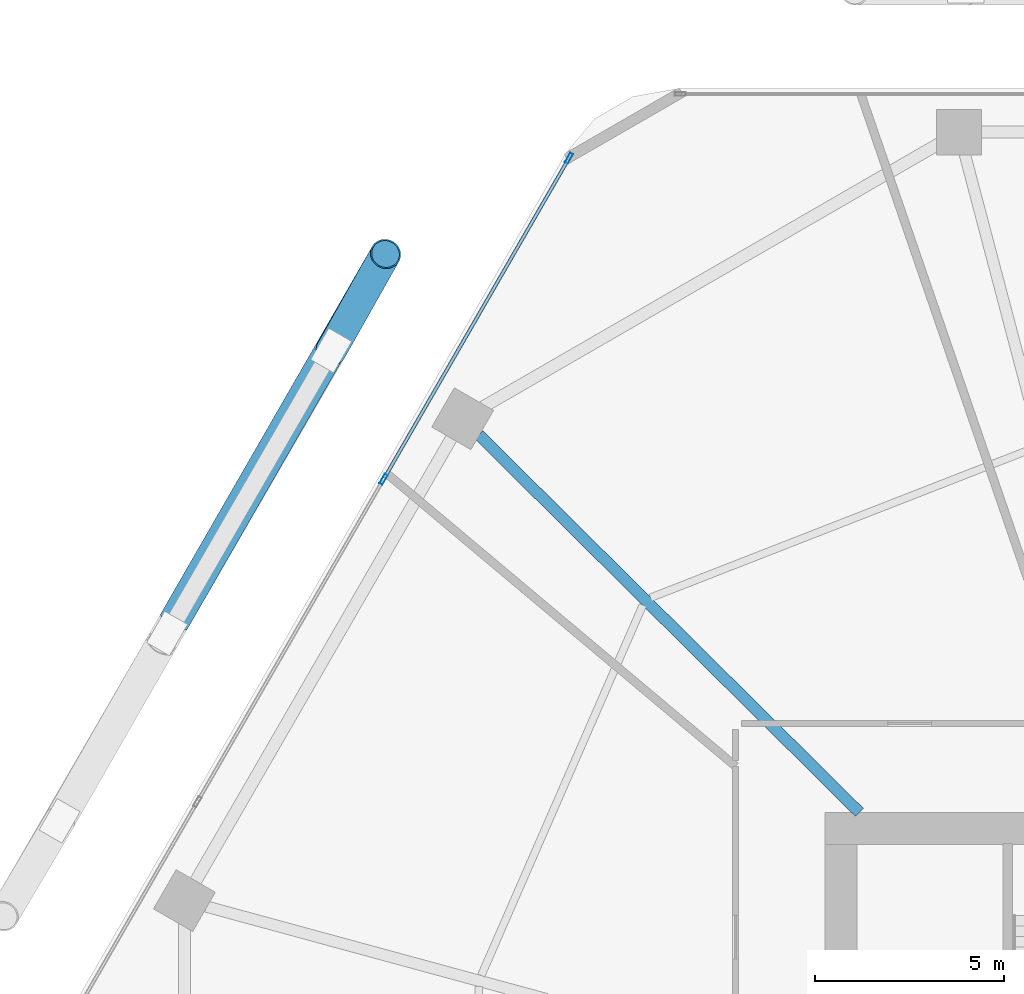
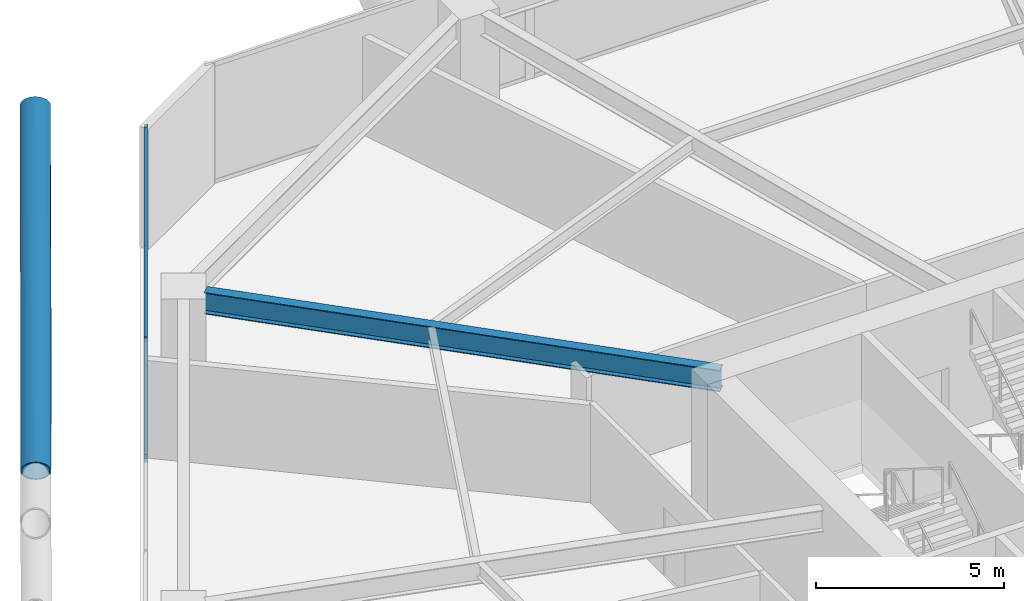
# One storey, part 15 of 28: 6 members, 1 beam, 1 element without a shape of its own.
"""IFC4 building model written with IfcOpenShell, lengths in metres."""

from ifc_helpers import new_model, si_unit, direction, frame, origin, origin_2d, place, context, subcontext, project, spatial, hollow_rectangle, hollow_circle, i_section, extrude, material, material_profile, profile_set, type_object, element, aggregate, save


model = new_model("IFC4")

# Units and contexts
model_context = context("Model", 3, precision=1e-05, world=origin(), true_north=direction((0.0, 1.0)))
body_context = subcontext(model_context, "Body", "Model", "MODEL_VIEW")
ifc_project = project(units=[si_unit("LENGTHUNIT", "METRE"), si_unit("AREAUNIT", "SQUARE_METRE"), si_unit("VOLUMEUNIT", "CUBIC_METRE"), si_unit("PLANEANGLEUNIT", "RADIAN"), si_unit("MASSUNIT", "GRAM", prefix="KILO")], contexts=[model_context])

# Site, building, storey
site_placement = place(None, origin())
site = spatial("IfcSite", under=ifc_project, at=site_placement, CompositionType="ELEMENT")
building_placement = place(site_placement, origin())
building = spatial("IfcBuilding", under=site, at=building_placement, Name="Zuhravey Tower", CompositionType="ELEMENT")
storey_placement = place(building_placement, frame((0.0, 0.0, 49.800048828125)))
storey = spatial("IfcBuildingStorey", under=building, at=storey_placement, Name="L12", CompositionType="ELEMENT", Elevation=49.800048828125)

# Curtain wall, members
ifc_material_1 = material(Name="Thermally broken anodised aluminium", Category="aluminium")
curtain_wall_type = type_object("IfcCurtainWallType", Name="School Low-E Unitised Curtain Wall CW1", PredefinedType="NOTDEFINED", material=ifc_material_1)
curtain_wall_placement = place(storey_placement, origin())
curtain_wall = element("IfcCurtainWall", 1, at=curtain_wall_placement, inside=storey, type_object=curtain_wall_type, Name="L12 CW1 CW-L12-F3-1", PredefinedType="NOTDEFINED")
ifc_material_2 = material(Name="Anodised aluminium", Category="aluminium")
ifc_material_profile_1 = material_profile(ifc_material_2, hollow_rectangle(XDim=0.090087890625, YDim=0.284912109375, WallThickness=0.0048828125, at=origin_2d()), Name="ALU-RHS-90x285x5")
ifc_profile_set_1 = profile_set([ifc_material_profile_1], Name="Anodised aluminium")
member_type_1 = type_object("IfcMemberType", Name="Curtain-Wall Mullion 90x180", PredefinedType="MULLION", material=ifc_profile_set_1)
member_1_placement = place(storey_placement, frame((13.387939453125, 50.75146484375, 0.0), z_axis=(0.0, 0.0, 1.0), x_axis=(-0.86602552265, 0.499999794119, 0.0)))
member_1 = element("IfcMember", 2, at=member_1_placement, type_object=member_type_1, Name="CW1 mullion 3", PredefinedType="MULLION", context=body_context, shape_type="SweptSolid", body=[
    extrude(hollow_rectangle(XDim=0.090087890625, YDim=0.284912109375, WallThickness=0.0048828125, at=origin_2d()), origin(), (0.0, 0.0, 1.0), 3.919921875),
])
member_2_placement = place(storey_placement, frame((18.298583984375, 59.257080078125, 0.0), z_axis=(0.0, 0.0, 1.0), x_axis=(-0.86602552265, 0.499999794119, 0.0)))
member_2 = element("IfcMember", 3, at=member_2_placement, type_object=member_type_1, Name="CW1 mullion 4", PredefinedType="MULLION", context=body_context, shape_type="SweptSolid", body=[
    extrude(hollow_rectangle(XDim=0.090087890625, YDim=0.284912109375, WallThickness=0.0048828125, at=origin_2d()), origin(), (0.0, 0.0, 1.0), 3.919921875),
])
ifc_material_profile_2 = material_profile(ifc_material_2, hollow_rectangle(XDim=0.090087890625, YDim=0.14990234375, WallThickness=0.0048828125, at=origin_2d()), Name="ALU-RHS-90x150x5")
ifc_profile_set_2 = profile_set([ifc_material_profile_2], Name="Anodised aluminium")
member_type_2 = type_object("IfcMemberType", Name="Curtain-Wall Transom 90x150", PredefinedType="USERDEFINED", material=ifc_profile_set_2)
member_3_placement = place(storey_placement, frame((13.410400390625, 50.79052734375, 0.044921875), z_axis=(0.499989576763, 0.86603142156, 0.0), x_axis=(-0.86603142156, 0.499989576763, 0.0)))
member_3 = element("IfcMember", 4, at=member_3_placement, type_object=member_type_2, Name="CW1 transom 3.1", ObjectType="TRANSOM", PredefinedType="USERDEFINED", context=body_context, shape_type="SweptSolid", body=[
    extrude(hollow_rectangle(XDim=0.090087890625, YDim=0.14990234375, WallThickness=0.0048828125, at=origin_2d()), origin(), (0.0, 0.0, 1.0), 9.731201171875),
])
member_4_placement = place(storey_placement, frame((13.410400390625, 50.79052734375, 3.875), z_axis=(0.499989576763, 0.86603142156, 0.0), x_axis=(-0.86603142156, 0.499989576763, 0.0)))
member_4 = element("IfcMember", 5, at=member_4_placement, type_object=member_type_2, Name="CW1 transom 3.2", ObjectType="TRANSOM", PredefinedType="USERDEFINED", context=body_context, shape_type="SweptSolid", body=[
    extrude(hollow_rectangle(XDim=0.090087890625, YDim=0.14990234375, WallThickness=0.0048828125, at=origin_2d()), origin(), (0.0, 0.0, 1.0), 9.731201171875),
])
aggregate(curtain_wall, [member_1, member_2, member_3, member_4])

# Members
ifc_material_3 = material(Name="Steel SM460", Category="steel")
ifc_material_profile_3 = material_profile(ifc_material_3, hollow_circle(Radius=0.406494140625, WallThickness=0.035888671875, at=origin_2d()), Name="CHS-812.8x36")
ifc_profile_set_3 = profile_set([ifc_material_profile_3], Name="Steel SM460")
member_type_3 = type_object("IfcMemberType", Name="Exoskeleton Zone 1 Diagrid CHS813x36", PredefinedType="BRACE", material=ifc_profile_set_3)
member_5_placement = place(storey_placement, frame((12.001708984375, 54.1708984375, -0.47216796875), z_axis=(0.16240639451, 0.288030084389, 0.943749348879), x_axis=(-0.871071780124, 0.49115573281, 0.0)))
element("IfcMember", 6, at=member_5_placement, inside=storey, type_object=member_type_3, Name="L12 Face 3 Diagrid Brace 1", PredefinedType="BRACE", context=body_context, shape_type="SweptSolid", body=[
    extrude(hollow_circle(Radius=0.406494140625, WallThickness=0.035888671875, at=origin_2d()), origin(), (0.0, 0.0, 1.0), 8.854248046875),
])
member_6_placement = place(storey_placement, frame((7.83837890625, 46.990478515625, 3.8408203125), z_axis=(0.469117597737, 0.814974351733, 0.340213882008), x_axis=(-0.866673062578, 0.49887654044, 0.0)))
element("IfcMember", 7, at=member_6_placement, inside=storey, type_object=member_type_3, Name="L12 Face 3 Split Diagrid Brace 3B", PredefinedType="BRACE", context=body_context, shape_type="SweptSolid", body=[
    extrude(hollow_circle(Radius=0.406494140625, WallThickness=0.035888671875, at=origin_2d()), origin(), (0.0, 0.0, 1.0), 11.89794921875),
])

# Beam
ifc_material_4 = material(Name="Steel SM355", Category="steel")
ifc_material_profile_4 = material_profile(ifc_material_4, i_section(OverallWidth=0.300048828125, OverallDepth=0.699951171875, WebThickness=0.012939453125, FlangeThickness=0.02392578125, at=origin_2d()), Name="H-700x300x13x24")
ifc_profile_set_4 = profile_set([ifc_material_profile_4], Name="Steel SM355")
beam_type = type_object("IfcBeamType", Name="Radial Primary Girder H700x300", PredefinedType="BEAM", material=ifc_profile_set_4)
beam_placement = place(storey_placement, frame((25.992919921875, 41.927978515625, 3.570068359375), z_axis=(-0.709902823282, 0.704299639, 0.0), x_axis=(-0.704299639, -0.709902823282, 0.0)))
element("IfcBeam", 8, at=beam_placement, inside=storey, type_object=beam_type, Name="L12 RG1 BM-L12-RAD-05", PredefinedType="BEAM", context=body_context, shape_type="SweptSolid", body=[
    extrude(i_section(OverallWidth=0.300048828125, OverallDepth=0.699951171875, WebThickness=0.012939453125, FlangeThickness=0.02392578125, at=origin_2d()), origin(), (0.0, 0.0, 1.0), 14.204345703125),
])

save(model, "model.ifc")
